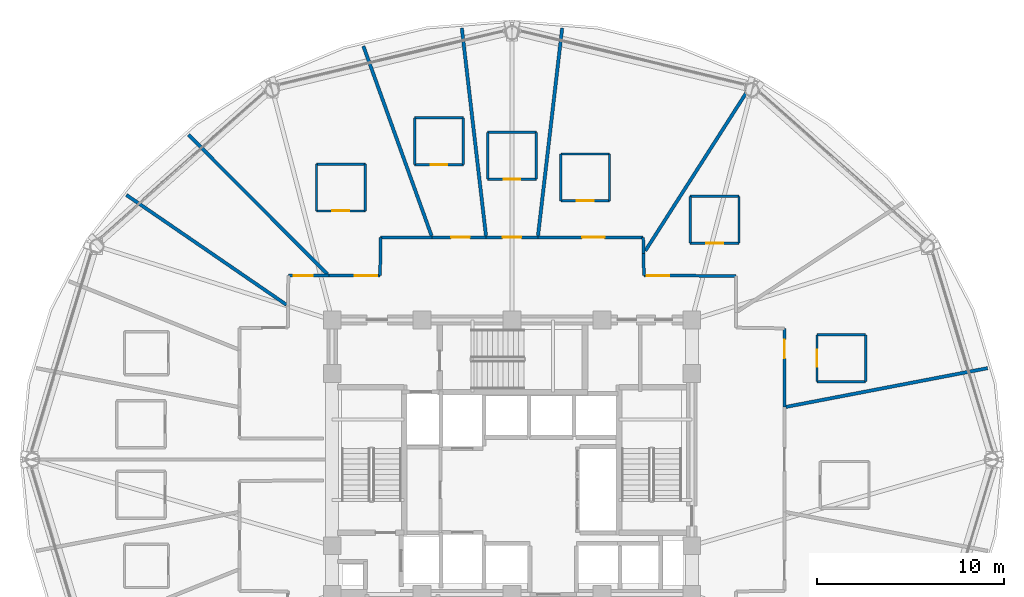
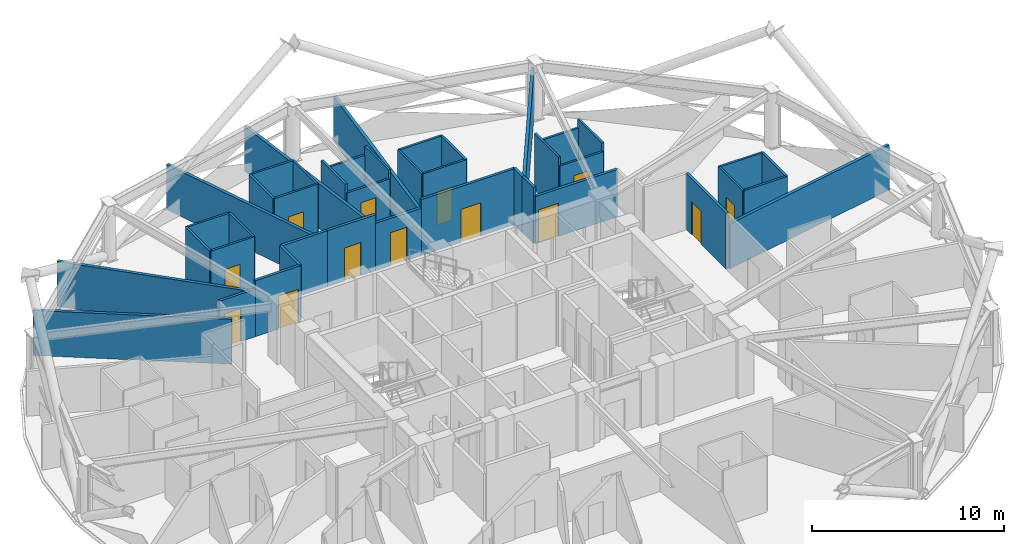
# One storey, part 27 of 32: 42 walls, 13 doors, 13 openings.
"""IFC4 building model written with IfcOpenShell, lengths in metres."""

from ifc_helpers import new_model, si_unit, direction, frame, frame_2d, origin, place, context, subcontext, project, spatial, rectangle, extrude, material, layer, layer_set, type_object, element, fill, save


model = new_model("IFC4")

# Units and contexts
model_context = context("Model", 3, precision=1e-05, world=origin(), true_north=direction((0.0, 1.0)))
body_context = subcontext(model_context, "Body", "Model", "MODEL_VIEW")
ifc_project = project(units=[si_unit("LENGTHUNIT", "METRE"), si_unit("AREAUNIT", "SQUARE_METRE"), si_unit("VOLUMEUNIT", "CUBIC_METRE"), si_unit("PLANEANGLEUNIT", "RADIAN"), si_unit("MASSUNIT", "GRAM", prefix="KILO")], contexts=[model_context])

# Site, building, storey
site_placement = place(None, origin())
site = spatial("IfcSite", under=ifc_project, at=site_placement, CompositionType="ELEMENT")
building_placement = place(site_placement, origin())
building = spatial("IfcBuilding", under=site, at=building_placement, Name="Vantalir Tower", CompositionType="ELEMENT")
storey_placement = place(building_placement, frame((0.0, 0.0, 104.699951171875)))
storey = spatial("IfcBuildingStorey", under=building, at=storey_placement, Name="L25", CompositionType="ELEMENT", Elevation=104.699951171875)

# Walls
ifc_material_1 = material(Name="Moisture-resistant en-suite partition", Category="gypsum")
ifc_layer_1 = layer(ifc_material_1, 0.125)
ifc_layer_set_1 = layer_set([ifc_layer_1], Name="Moisture-resistant en-suite partition")
wall_type_1 = type_object("IfcWallType", Name="WL-BATH-125", PredefinedType="PARTITIONING", material=ifc_layer_set_1)
for number, where, z_axis, x_axis, name in (
    (1, (47.781982421875, 29.160888671875, 0.0), (0.0, 0.0, 1.0), (1.0, 0.0, 0.0), "L25 En-suite 01 South Wall"),
    (2, (47.781982421875, 31.660888671875, 0.0), (0.0, 0.0, 1.0), (1.0, 0.0, 0.0), "L25 En-suite 01 North Wall"),
):
    element("IfcWall", number, at=place(storey_placement, frame(where, z_axis=z_axis, x_axis=x_axis)), inside=storey, type_object=wall_type_1, Name=name, PredefinedType="PARTITIONING", context=body_context, shape_type="SweptSolid", body=[
        extrude(rectangle(XDim=2.60009765625, YDim=0.125, at=frame_2d((1.300048828125, 0.0))), origin(), (0.0, 0.0, 1.0), 3.550048828125),
    ])

# Wall, opening, door
wall_1_placement = place(storey_placement, frame((47.781982421875, 29.160888671875, 0.0), z_axis=(0.0, 0.0, 1.0), x_axis=(0.0, 1.0, 0.0)))
wall_1 = element("IfcWall", 3, at=wall_1_placement, inside=storey, type_object=wall_type_1, Name="L25 En-suite 01 West Wall", PredefinedType="PARTITIONING", context=body_context, shape_type="SweptSolid", body=[
    extrude(rectangle(XDim=2.5, YDim=0.125, at=frame_2d((1.25, 0.0))), origin(), (0.0, 0.0, 1.0), 3.550048828125),
])
opening_1_placement = place(wall_1_placement, frame((0.800048828125, 0.0, 0.0)))
opening_1 = element("IfcOpeningElement", 4, at=opening_1_placement, cuts=wall_1, Name="Opening D-WC", PredefinedType="OPENING", context=body_context, shape_type="SweptSolid", body=[
    extrude(rectangle(XDim=0.89990234375, YDim=2.10009765625, at=frame_2d((0.449951171875, 1.050048828125))), frame((0.0, 0.072509765625, 0.0), z_axis=(0.0, -1.0, 0.0), x_axis=(1.0, 0.0, 0.0)), (0.0, 0.0, 1.0), 0.14501953125),
])
ifc_material_2 = material(Name="Moisture-resistant hardwood door", Category="wood")
door_type_1 = type_object("IfcDoorType", Name="DR-ENSUITE-900", OperationType="NOTDEFINED", PredefinedType="DOOR", material=ifc_material_2)
door_1_placement = place(opening_1_placement, frame((0.89990234375, 0.0, 0.0), z_axis=(0.0, 0.0, 1.0), x_axis=(-1.0, 0.0, 0.0)))
door_1 = element("IfcDoor", 5, at=door_1_placement, inside=storey, type_object=door_type_1, Name="L25 En-suite 01 Door", OperationType="SINGLE_SWING_LEFT", OverallHeight=2.10009765625, OverallWidth=0.89990234375, PredefinedType="DOOR", context=body_context, shape_type="SweptSolid", body=[
    extrude(rectangle(XDim=0.89990234375, YDim=2.10009765625, at=frame_2d((0.449951171875, 1.050048828125))), frame((0.0, 0.02490234375, 0.0), z_axis=(0.0, -1.0, 0.0), x_axis=(1.0, 0.0, 0.0)), (0.0, 0.0, 1.0), 0.050048828125),
])
fill(opening_1, door_1)

# Wall
wall_2_placement = place(storey_placement, frame((50.382080078125, 29.160888671875, 0.0), z_axis=(0.0, 0.0, 1.0), x_axis=(0.0, 1.0, 0.0)))
element("IfcWall", 6, at=wall_2_placement, inside=storey, type_object=wall_type_1, Name="L25 En-suite 01 East Wall", PredefinedType="PARTITIONING", context=body_context, shape_type="SweptSolid", body=[
    extrude(rectangle(XDim=2.5, YDim=0.125, at=frame_2d((1.25, 0.0))), origin(), (0.0, 0.0, 1.0), 3.550048828125),
])

# Wall, opening, door
wall_3_placement = place(storey_placement, frame((41.013916015625, 36.550048828125, 0.0), z_axis=(0.0, 0.0, 1.0), x_axis=(1.0, 0.0, 0.0)))
wall_3 = element("IfcWall", 7, at=wall_3_placement, inside=storey, type_object=wall_type_1, Name="L25 En-suite 02 South Wall", PredefinedType="PARTITIONING", context=body_context, shape_type="SweptSolid", body=[
    extrude(rectangle(XDim=2.60009765625, YDim=0.125, at=frame_2d((1.300048828125, 0.0))), origin(), (0.0, 0.0, 1.0), 3.006103515625),
])
opening_2_placement = place(wall_3_placement, frame((0.85009765625, 0.0, 0.0)))
opening_2 = element("IfcOpeningElement", 8, at=opening_2_placement, cuts=wall_3, Name="Opening D-WC", PredefinedType="OPENING", context=body_context, shape_type="SweptSolid", body=[
    extrude(rectangle(XDim=0.89990234375, YDim=2.10009765625, at=frame_2d((0.449951171875, 1.050048828125))), frame((0.0, 0.072509765625, 0.0), z_axis=(0.0, -1.0, 0.0), x_axis=(1.0, 0.0, 0.0)), (0.0, 0.0, 1.0), 0.14501953125),
])
door_2_placement = place(opening_2_placement, origin())
door_2 = element("IfcDoor", 9, at=door_2_placement, inside=storey, type_object=door_type_1, Name="L25 En-suite 02 Door", OperationType="SINGLE_SWING_RIGHT", OverallHeight=2.10009765625, OverallWidth=0.89990234375, PredefinedType="DOOR", context=body_context, shape_type="SweptSolid", body=[
    extrude(rectangle(XDim=0.89990234375, YDim=2.10009765625, at=frame_2d((0.449951171875, 1.050048828125))), frame((0.0, 0.02490234375, 0.0), z_axis=(0.0, -1.0, 0.0), x_axis=(1.0, 0.0, 0.0)), (0.0, 0.0, 1.0), 0.050048828125),
])
fill(opening_2, door_2)

# Walls
wall_4_placement = place(storey_placement, frame((41.013916015625, 39.050048828125, 0.0), z_axis=(0.0, 0.0, 1.0), x_axis=(1.0, 0.0, 0.0)))
element("IfcWall", 10, at=wall_4_placement, inside=storey, type_object=wall_type_1, Name="L25 En-suite 02 North Wall", PredefinedType="PARTITIONING", context=body_context, shape_type="SweptSolid", body=[
    extrude(rectangle(XDim=2.60009765625, YDim=0.125, at=frame_2d((1.300048828125, 0.0))), origin(), (0.0, 0.0, 1.0), 3.006103515625),
])
for number, where, z_axis, x_axis, name in (
    (11, (41.013916015625, 36.550048828125, 0.0), (0.0, 0.0, 1.0), (0.0, 1.0, 0.0), "L25 En-suite 02 West Wall"),
    (12, (43.614013671875, 36.550048828125, 0.0), (0.0, 0.0, 1.0), (0.0, 1.0, 0.0), "L25 En-suite 02 East Wall"),
):
    element("IfcWall", number, at=place(storey_placement, frame(where, z_axis=z_axis, x_axis=x_axis)), inside=storey, type_object=wall_type_1, Name=name, PredefinedType="PARTITIONING", context=body_context, shape_type="SweptSolid", body=[
        extrude(rectangle(XDim=2.5, YDim=0.125, at=frame_2d((1.25, 0.0))), origin(), (0.0, 0.0, 1.0), 3.550048828125),
    ])

# Wall, opening, door
wall_5_placement = place(storey_placement, frame((34.10595703125, 38.81103515625, 0.0), z_axis=(0.0, 0.0, 1.0), x_axis=(1.0, 0.0, 0.0)))
wall_5 = element("IfcWall", 13, at=wall_5_placement, inside=storey, type_object=wall_type_1, Name="L25 En-suite 03 South Wall", PredefinedType="PARTITIONING", context=body_context, shape_type="SweptSolid", body=[
    extrude(rectangle(XDim=2.60009765625, YDim=0.125, at=frame_2d((1.300048828125, 0.0))), origin(), (0.0, 0.0, 1.0), 3.550048828125),
])
opening_3_placement = place(wall_5_placement, frame((0.85009765625, 0.0, 0.0)))
opening_3 = element("IfcOpeningElement", 14, at=opening_3_placement, cuts=wall_5, Name="Opening D-WC", PredefinedType="OPENING", context=body_context, shape_type="SweptSolid", body=[
    extrude(rectangle(XDim=0.89990234375, YDim=2.10009765625, at=frame_2d((0.449951171875, 1.050048828125))), frame((0.0, 0.072509765625, 0.0), z_axis=(0.0, -1.0, 0.0), x_axis=(1.0, 0.0, 0.0)), (0.0, 0.0, 1.0), 0.14501953125),
])
door_3_placement = place(opening_3_placement, origin())
door_3 = element("IfcDoor", 15, at=door_3_placement, inside=storey, type_object=door_type_1, Name="L25 En-suite 03 Door", OperationType="SINGLE_SWING_LEFT", OverallHeight=2.10009765625, OverallWidth=0.89990234375, PredefinedType="DOOR", context=body_context, shape_type="SweptSolid", body=[
    extrude(rectangle(XDim=0.89990234375, YDim=2.10009765625, at=frame_2d((0.449951171875, 1.050048828125))), frame((0.0, 0.02490234375, 0.0), z_axis=(0.0, -1.0, 0.0), x_axis=(1.0, 0.0, 0.0)), (0.0, 0.0, 1.0), 0.050048828125),
])
fill(opening_3, door_3)

# Walls
wall_6_placement = place(storey_placement, frame((34.10595703125, 41.31103515625, 0.0), z_axis=(0.0, 0.0, 1.0), x_axis=(1.0, 0.0, 0.0)))
element("IfcWall", 16, at=wall_6_placement, inside=storey, type_object=wall_type_1, Name="L25 En-suite 03 North Wall", PredefinedType="PARTITIONING", context=body_context, shape_type="SweptSolid", body=[
    extrude(rectangle(XDim=2.60009765625, YDim=0.125, at=frame_2d((1.300048828125, 0.0))), origin(), (0.0, 0.0, 1.0), 3.550048828125),
])
for number, where, z_axis, x_axis, name in (
    (17, (34.10595703125, 38.81103515625, 0.0), (0.0, 0.0, 1.0), (0.0, 1.0, 0.0), "L25 En-suite 03 West Wall"),
    (18, (36.7060546875, 38.81103515625, 0.0), (0.0, 0.0, 1.0), (0.0, 1.0, 0.0), "L25 En-suite 03 East Wall"),
):
    element("IfcWall", number, at=place(storey_placement, frame(where, z_axis=z_axis, x_axis=x_axis)), inside=storey, type_object=wall_type_1, Name=name, PredefinedType="PARTITIONING", context=body_context, shape_type="SweptSolid", body=[
        extrude(rectangle(XDim=2.5, YDim=0.125, at=frame_2d((1.25, 0.0))), origin(), (0.0, 0.0, 1.0), 3.550048828125),
    ])

# Wall, opening, door
wall_7_placement = place(storey_placement, frame((30.199951171875, 39.970947265625, 0.0), z_axis=(0.0, 0.0, 1.0), x_axis=(1.0, 0.0, 0.0)))
wall_7 = element("IfcWall", 19, at=wall_7_placement, inside=storey, type_object=wall_type_1, Name="L25 En-suite 04 South Wall", PredefinedType="PARTITIONING", context=body_context, shape_type="SweptSolid", body=[
    extrude(rectangle(XDim=2.60009765625, YDim=0.125, at=frame_2d((1.300048828125, 0.0))), origin(), (0.0, 0.0, 1.0), 3.006103515625),
])
opening_4_placement = place(wall_7_placement, frame((0.85009765625, 0.0, 0.0)))
opening_4 = element("IfcOpeningElement", 20, at=opening_4_placement, cuts=wall_7, Name="Opening D-WC", PredefinedType="OPENING", context=body_context, shape_type="SweptSolid", body=[
    extrude(rectangle(XDim=0.89990234375, YDim=2.10009765625, at=frame_2d((0.449951171875, 1.050048828125))), frame((0.0, 0.072509765625, 0.0), z_axis=(0.0, -1.0, 0.0), x_axis=(1.0, 0.0, 0.0)), (0.0, 0.0, 1.0), 0.14501953125),
])
door_4_placement = place(opening_4_placement, origin())
door_4 = element("IfcDoor", 21, at=door_4_placement, inside=storey, type_object=door_type_1, Name="L25 En-suite 04 Door", OperationType="SINGLE_SWING_RIGHT", OverallHeight=2.10009765625, OverallWidth=0.89990234375, PredefinedType="DOOR", context=body_context, shape_type="SweptSolid", body=[
    extrude(rectangle(XDim=0.89990234375, YDim=2.10009765625, at=frame_2d((0.449951171875, 1.050048828125))), frame((0.0, 0.02490234375, 0.0), z_axis=(0.0, -1.0, 0.0), x_axis=(1.0, 0.0, 0.0)), (0.0, 0.0, 1.0), 0.050048828125),
])
fill(opening_4, door_4)

# Walls
wall_8_placement = place(storey_placement, frame((30.199951171875, 42.470947265625, 0.0), z_axis=(0.0, 0.0, 1.0), x_axis=(1.0, 0.0, 0.0)))
element("IfcWall", 22, at=wall_8_placement, inside=storey, type_object=wall_type_1, Name="L25 En-suite 04 North Wall", PredefinedType="PARTITIONING", context=body_context, shape_type="SweptSolid", body=[
    extrude(rectangle(XDim=2.60009765625, YDim=0.125, at=frame_2d((1.300048828125, 0.0))), origin(), (0.0, 0.0, 1.0), 3.006103515625),
])
for number, where, z_axis, x_axis, name in (
    (23, (30.199951171875, 39.970947265625, 0.0), (0.0, 0.0, 1.0), (0.0, 1.0, 0.0), "L25 En-suite 04 West Wall"),
    (24, (32.800048828125, 39.970947265625, 0.0), (0.0, 0.0, 1.0), (0.0, 1.0, 0.0), "L25 En-suite 04 East Wall"),
):
    element("IfcWall", number, at=place(storey_placement, frame(where, z_axis=z_axis, x_axis=x_axis)), inside=storey, type_object=wall_type_1, Name=name, PredefinedType="PARTITIONING", context=body_context, shape_type="SweptSolid", body=[
        extrude(rectangle(XDim=2.5, YDim=0.125, at=frame_2d((1.25, 0.0))), origin(), (0.0, 0.0, 1.0), 3.550048828125),
    ])

# Wall, opening, door
wall_9_placement = place(storey_placement, frame((26.305908203125, 40.737060546875, 0.0), z_axis=(0.0, 0.0, 1.0), x_axis=(1.0, 0.0, 0.0)))
wall_9 = element("IfcWall", 25, at=wall_9_placement, inside=storey, type_object=wall_type_1, Name="L25 En-suite 05 South Wall", PredefinedType="PARTITIONING", context=body_context, shape_type="SweptSolid", body=[
    extrude(rectangle(XDim=2.60009765625, YDim=0.125, at=frame_2d((1.300048828125, 0.0))), origin(), (0.0, 0.0, 1.0), 3.550048828125),
])
opening_5_placement = place(wall_9_placement, frame((0.85009765625, 0.0, 0.0)))
opening_5 = element("IfcOpeningElement", 26, at=opening_5_placement, cuts=wall_9, Name="Opening D-WC", PredefinedType="OPENING", context=body_context, shape_type="SweptSolid", body=[
    extrude(rectangle(XDim=0.89990234375, YDim=2.10009765625, at=frame_2d((0.449951171875, 1.050048828125))), frame((0.0, 0.072509765625, 0.0), z_axis=(0.0, -1.0, 0.0), x_axis=(1.0, 0.0, 0.0)), (0.0, 0.0, 1.0), 0.14501953125),
])
door_5_placement = place(opening_5_placement, origin())
door_5 = element("IfcDoor", 27, at=door_5_placement, inside=storey, type_object=door_type_1, Name="L25 En-suite 05 Door", OperationType="SINGLE_SWING_LEFT", OverallHeight=2.10009765625, OverallWidth=0.89990234375, PredefinedType="DOOR", context=body_context, shape_type="SweptSolid", body=[
    extrude(rectangle(XDim=0.89990234375, YDim=2.10009765625, at=frame_2d((0.449951171875, 1.050048828125))), frame((0.0, 0.02490234375, 0.0), z_axis=(0.0, -1.0, 0.0), x_axis=(1.0, 0.0, 0.0)), (0.0, 0.0, 1.0), 0.050048828125),
])
fill(opening_5, door_5)

# Walls
wall_10_placement = place(storey_placement, frame((26.305908203125, 43.237060546875, 0.0), z_axis=(0.0, 0.0, 1.0), x_axis=(1.0, 0.0, 0.0)))
element("IfcWall", 28, at=wall_10_placement, inside=storey, type_object=wall_type_1, Name="L25 En-suite 05 North Wall", PredefinedType="PARTITIONING", context=body_context, shape_type="SweptSolid", body=[
    extrude(rectangle(XDim=2.60009765625, YDim=0.125, at=frame_2d((1.300048828125, 0.0))), origin(), (0.0, 0.0, 1.0), 3.550048828125),
])
for number, where, z_axis, x_axis, name in (
    (29, (26.305908203125, 40.737060546875, 0.0), (0.0, 0.0, 1.0), (0.0, 1.0, 0.0), "L25 En-suite 05 West Wall"),
    (30, (28.906005859375, 40.737060546875, 0.0), (0.0, 0.0, 1.0), (0.0, 1.0, 0.0), "L25 En-suite 05 East Wall"),
):
    element("IfcWall", number, at=place(storey_placement, frame(where, z_axis=z_axis, x_axis=x_axis)), inside=storey, type_object=wall_type_1, Name=name, PredefinedType="PARTITIONING", context=body_context, shape_type="SweptSolid", body=[
        extrude(rectangle(XDim=2.5, YDim=0.125, at=frame_2d((1.25, 0.0))), origin(), (0.0, 0.0, 1.0), 3.550048828125),
    ])

# Wall, opening, door
wall_11_placement = place(storey_placement, frame((21.06689453125, 38.27001953125, 0.0), z_axis=(0.0, 0.0, 1.0), x_axis=(1.0, 0.0, 0.0)))
wall_11 = element("IfcWall", 31, at=wall_11_placement, inside=storey, type_object=wall_type_1, Name="L25 En-suite 06 South Wall", PredefinedType="PARTITIONING", context=body_context, shape_type="SweptSolid", body=[
    extrude(rectangle(XDim=2.60009765625, YDim=0.125, at=frame_2d((1.300048828125, 0.0))), origin(), (0.0, 0.0, 1.0), 3.550048828125),
])
opening_6_placement = place(wall_11_placement, frame((0.85009765625, 0.0, 0.0)))
opening_6 = element("IfcOpeningElement", 32, at=opening_6_placement, cuts=wall_11, Name="Opening D-WC", PredefinedType="OPENING", context=body_context, shape_type="SweptSolid", body=[
    extrude(rectangle(XDim=0.89990234375, YDim=2.10009765625, at=frame_2d((0.449951171875, 1.050048828125))), frame((0.0, 0.072509765625, 0.0), z_axis=(0.0, -1.0, 0.0), x_axis=(1.0, 0.0, 0.0)), (0.0, 0.0, 1.0), 0.14501953125),
])
door_6_placement = place(opening_6_placement, origin())
door_6 = element("IfcDoor", 33, at=door_6_placement, inside=storey, type_object=door_type_1, Name="L25 En-suite 06 Door", OperationType="SINGLE_SWING_RIGHT", OverallHeight=2.10009765625, OverallWidth=0.89990234375, PredefinedType="DOOR", context=body_context, shape_type="SweptSolid", body=[
    extrude(rectangle(XDim=0.89990234375, YDim=2.10009765625, at=frame_2d((0.449951171875, 1.050048828125))), frame((0.0, 0.02490234375, 0.0), z_axis=(0.0, -1.0, 0.0), x_axis=(1.0, 0.0, 0.0)), (0.0, 0.0, 1.0), 0.050048828125),
])
fill(opening_6, door_6)

# Walls
wall_12_placement = place(storey_placement, frame((21.06689453125, 40.77001953125, 0.0), z_axis=(0.0, 0.0, 1.0), x_axis=(1.0, 0.0, 0.0)))
element("IfcWall", 34, at=wall_12_placement, inside=storey, type_object=wall_type_1, Name="L25 En-suite 06 North Wall", PredefinedType="PARTITIONING", context=body_context, shape_type="SweptSolid", body=[
    extrude(rectangle(XDim=2.60009765625, YDim=0.125, at=frame_2d((1.300048828125, 0.0))), origin(), (0.0, 0.0, 1.0), 3.550048828125),
])
for number, where, z_axis, x_axis, name in (
    (35, (21.06689453125, 38.27001953125, 0.0), (0.0, 0.0, 1.0), (0.0, 1.0, 0.0), "L25 En-suite 06 West Wall"),
    (36, (23.6669921875, 38.27001953125, 0.0), (0.0, 0.0, 1.0), (0.0, 1.0, 0.0), "L25 En-suite 06 East Wall"),
):
    element("IfcWall", number, at=place(storey_placement, frame(where, z_axis=z_axis, x_axis=x_axis)), inside=storey, type_object=wall_type_1, Name=name, PredefinedType="PARTITIONING", context=body_context, shape_type="SweptSolid", body=[
        extrude(rectangle(XDim=2.5, YDim=0.125, at=frame_2d((1.25, 0.0))), origin(), (0.0, 0.0, 1.0), 3.550048828125),
    ])

# Wall, opening, door
ifc_material_3 = material(Name="Fire-rated hotel corridor acoustic partition", Category="gypsum")
ifc_layer_2 = layer(ifc_material_3, 0.159912109375)
ifc_layer_set_2 = layer_set([ifc_layer_2], Name="Fire-rated hotel corridor acoustic partition")
wall_type_2 = type_object("IfcWallType", Name="WL-CORR-160", PredefinedType="PARTITIONING", material=ifc_layer_set_2)
wall_13_placement = place(storey_placement, frame((19.56005859375, 34.81201171875, 0.0), z_axis=(0.0, 0.0, 1.0), x_axis=(0.999999898272, 0.000451059945, 0.0)))
wall_13 = element("IfcWall", 37, at=wall_13_placement, inside=storey, type_object=wall_type_2, Name="L25 Corridor Partition 08", PredefinedType="PARTITIONING", context=body_context, shape_type="SweptSolid", body=[
    extrude(rectangle(XDim=2.1650390625, YDim=0.159912109375, at=frame_2d((1.08251953125, 0.0))), origin(), (0.0, 0.0, 1.0), 3.006103515625),
])
opening_7_placement = place(wall_13_placement, frame((0.301025390625, 0.0, 0.0)))
opening_7 = element("IfcOpeningElement", 38, at=opening_7_placement, cuts=wall_13, Name="Opening D-GUEST", PredefinedType="OPENING", context=body_context, shape_type="SweptSolid", body=[
    extrude(rectangle(XDim=1.0, YDim=2.10009765625, at=frame_2d((0.5, 1.050048828125))), frame((0.0, 0.08984375, 0.0), z_axis=(0.0, -1.0, 0.0), x_axis=(1.0, 0.0, 0.0)), (0.0, 0.0, 1.0), 0.179931640625),
])
ifc_material_4 = material(Name="Solid-core teak veneer acoustic fire door", Category="wood")
door_type_2 = type_object("IfcDoorType", Name="DR-GUEST-ENTRY-1000", OperationType="NOTDEFINED", PredefinedType="DOOR", material=ifc_material_4)
door_7_placement = place(opening_7_placement, origin())
door_7 = element("IfcDoor", 39, at=door_7_placement, inside=storey, type_object=door_type_2, Name="L25 Executive Business Study 07 Door", OperationType="SINGLE_SWING_LEFT", OverallHeight=2.10009765625, OverallWidth=1.0, PredefinedType="DOOR", context=body_context, shape_type="SweptSolid", body=[
    extrude(rectangle(XDim=1.0, YDim=2.10009765625, at=frame_2d((0.5, 1.050048828125))), frame((0.0, 0.02490234375, 0.0), z_axis=(0.0, -1.0, 0.0), x_axis=(1.0, 0.0, 0.0)), (0.0, 0.0, 1.0), 0.050048828125),
])
fill(opening_7, door_7)

wall_14_placement = place(storey_placement, frame((21.72509765625, 34.81298828125, 0.0), z_axis=(0.0, 0.0, 1.0), x_axis=(0.999999744989, 0.000714158004, 0.0)))
wall_14 = element("IfcWall", 40, at=wall_14_placement, inside=storey, type_object=wall_type_2, Name="L25 Corridor Partition 09", PredefinedType="PARTITIONING", context=body_context, shape_type="SweptSolid", body=[
    extrude(rectangle(XDim=2.73486328125, YDim=0.159912109375, at=frame_2d((1.367431640625, 0.0))), origin(), (0.0, 0.0, 1.0), 3.550048828125),
])
opening_8_placement = place(wall_14_placement, frame((1.375, 0.0, 0.0)))
opening_8 = element("IfcOpeningElement", 41, at=opening_8_placement, cuts=wall_14, Name="Opening D-STE", PredefinedType="OPENING", context=body_context, shape_type="SweptSolid", body=[
    extrude(rectangle(XDim=1.199951171875, YDim=2.10009765625, at=frame_2d((0.60009765625, 1.050048828125))), frame((0.0, 0.08984375, 0.0), z_axis=(0.0, -1.0, 0.0), x_axis=(1.0, 0.0, 0.0)), (0.0, 0.0, 1.0), 0.179931640625),
])
ifc_material_5 = material(Name="Solid-core teak veneer suite entrance door", Category="wood")
door_type_3 = type_object("IfcDoorType", Name="DR-SUITE-ENTRY-1200", OperationType="NOTDEFINED", PredefinedType="DOOR", material=ifc_material_5)
door_8_placement = place(opening_8_placement, origin())
door_8 = element("IfcDoor", 42, at=door_8_placement, inside=storey, type_object=door_type_3, Name="L25 Corner Panorama Hotel Suite 06 Door", OperationType="SINGLE_SWING_RIGHT", OverallHeight=2.10009765625, OverallWidth=1.199951171875, PredefinedType="DOOR", context=body_context, shape_type="SweptSolid", body=[
    extrude(rectangle(XDim=1.199951171875, YDim=2.10009765625, at=frame_2d((0.60009765625, 1.050048828125))), frame((0.0, 0.02490234375, 0.0), z_axis=(0.0, -1.0, 0.0), x_axis=(1.0, 0.0, 0.0)), (0.0, 0.0, 1.0), 0.050048828125),
])
fill(opening_8, door_8)

# Walls
wall_15_placement = place(storey_placement, frame((24.4599609375, 34.81494140625, 0.0), z_axis=(0.0, 0.0, 1.0), x_axis=(0.012282913525, 0.999924562172, 0.0)))
element("IfcWall", 43, at=wall_15_placement, inside=storey, type_object=wall_type_2, Name="L25 Corridor Partition 10", PredefinedType="PARTITIONING", context=body_context, shape_type="SweptSolid", body=[
    extrude(rectangle(XDim=2.04736328125, YDim=0.159912109375, at=frame_2d((1.023681640625, 0.0))), origin(), (0.0, 0.0, 1.0), 3.550048828125),
])
wall_16_placement = place(storey_placement, frame((24.485107421875, 36.862060546875, 0.0), z_axis=(0.0, 0.0, 1.0), x_axis=(0.999999936992, 0.000354987553, 0.0)))
element("IfcWall", 44, at=wall_16_placement, inside=storey, type_object=wall_type_2, Name="L25 Corridor Partition 11", PredefinedType="PARTITIONING", context=body_context, shape_type="SweptSolid", body=[
    extrude(rectangle(XDim=2.7509765625, YDim=0.159912109375, at=frame_2d((1.37548828125, 0.0))), origin(), (0.0, 0.0, 1.0), 3.550048828125),
])

# Wall, opening, door
wall_17_placement = place(storey_placement, frame((27.236083984375, 36.863037109375, 0.0), z_axis=(0.0, 0.0, 1.0), x_axis=(1.0, 0.0, 0.0)))
wall_17 = element("IfcWall", 45, at=wall_17_placement, inside=storey, type_object=wall_type_2, Name="L25 Corridor Partition 12", PredefinedType="PARTITIONING", context=body_context, shape_type="SweptSolid", body=[
    extrude(rectangle(XDim=2.884033203125, YDim=0.159912109375, at=frame_2d((1.44189453125, 0.0))), origin(), (0.0, 0.0, 1.0), 3.550048828125),
])
opening_9_placement = place(wall_17_placement, frame((1.012939453125, 0.0, 0.0)))
opening_9 = element("IfcOpeningElement", 46, at=opening_9_placement, cuts=wall_17, Name="Opening D-GUEST", PredefinedType="OPENING", context=body_context, shape_type="SweptSolid", body=[
    extrude(rectangle(XDim=1.0, YDim=2.10009765625, at=frame_2d((0.5, 1.050048828125))), frame((0.0, 0.08984375, 0.0), z_axis=(0.0, -1.0, 0.0), x_axis=(1.0, 0.0, 0.0)), (0.0, 0.0, 1.0), 0.179931640625),
])
door_9_placement = place(opening_9_placement, origin())
door_9 = element("IfcDoor", 47, at=door_9_placement, inside=storey, type_object=door_type_2, Name="L25 Twin Queen Hotel Room 05 Door", OperationType="SINGLE_SWING_LEFT", OverallHeight=2.10009765625, OverallWidth=1.0, PredefinedType="DOOR", context=body_context, shape_type="SweptSolid", body=[
    extrude(rectangle(XDim=1.0, YDim=2.10009765625, at=frame_2d((0.5, 1.050048828125))), frame((0.0, 0.02490234375, 0.0), z_axis=(0.0, -1.0, 0.0), x_axis=(1.0, 0.0, 0.0)), (0.0, 0.0, 1.0), 0.050048828125),
])
fill(opening_9, door_9)

wall_18_placement = place(storey_placement, frame((30.1201171875, 36.863037109375, 0.0), z_axis=(0.0, 0.0, 1.0), x_axis=(0.999999937393, 0.00035385702, 0.0)))
wall_18 = element("IfcWall", 48, at=wall_18_placement, inside=storey, type_object=wall_type_2, Name="L25 Corridor Partition 13", PredefinedType="PARTITIONING", context=body_context, shape_type="SweptSolid", body=[
    extrude(rectangle(XDim=2.759765625, YDim=0.159912109375, at=frame_2d((1.3798828125, 0.0))), origin(), (0.0, 0.0, 1.0), 3.006103515625),
])
opening_10_placement = place(wall_18_placement, frame((0.8798828125, 0.0, 0.0)))
opening_10 = element("IfcOpeningElement", 49, at=opening_10_placement, cuts=wall_18, Name="Opening D-GUEST", PredefinedType="OPENING", context=body_context, shape_type="SweptSolid", body=[
    extrude(rectangle(XDim=1.0, YDim=2.10009765625, at=frame_2d((0.5, 1.050048828125))), frame((0.0, 0.08984375, 0.0), z_axis=(0.0, -1.0, 0.0), x_axis=(1.0, 0.0, 0.0)), (0.0, 0.0, 1.0), 0.179931640625),
])
door_10_placement = place(opening_10_placement, origin())
door_10 = element("IfcDoor", 50, at=door_10_placement, inside=storey, type_object=door_type_2, Name="L25 Deluxe King Hotel Room 04 Door", OperationType="SINGLE_SWING_RIGHT", OverallHeight=2.10009765625, OverallWidth=1.0, PredefinedType="DOOR", context=body_context, shape_type="SweptSolid", body=[
    extrude(rectangle(XDim=1.0, YDim=2.10009765625, at=frame_2d((0.5, 1.050048828125))), frame((0.0, 0.02490234375, 0.0), z_axis=(0.0, -1.0, 0.0), x_axis=(1.0, 0.0, 0.0)), (0.0, 0.0, 1.0), 0.050048828125),
])
fill(opening_10, door_10)

wall_19_placement = place(storey_placement, frame((32.8798828125, 36.864013671875, 0.0), z_axis=(0.0, 0.0, 1.0), x_axis=(0.999999984924, 0.000173641255, 0.0)))
wall_19 = element("IfcWall", 51, at=wall_19_placement, inside=storey, type_object=wall_type_2, Name="L25 Corridor Partition 14", PredefinedType="PARTITIONING", context=body_context, shape_type="SweptSolid", body=[
    extrude(rectangle(XDim=5.6240234375, YDim=0.159912109375, at=frame_2d((2.81201171875, 0.0))), origin(), (0.0, 0.0, 1.0), 3.550048828125),
])
opening_11_placement = place(wall_19_placement, frame((2.35888671875, 0.0, 0.0)))
opening_11 = element("IfcOpeningElement", 52, at=opening_11_placement, cuts=wall_19, Name="Opening D-STE", PredefinedType="OPENING", context=body_context, shape_type="SweptSolid", body=[
    extrude(rectangle(XDim=1.199951171875, YDim=2.10009765625, at=frame_2d((0.60009765625, 1.050048828125))), frame((0.0, 0.08984375, 0.0), z_axis=(0.0, -1.0, 0.0), x_axis=(1.0, 0.0, 0.0)), (0.0, 0.0, 1.0), 0.179931640625),
])
door_11_placement = place(opening_11_placement, origin())
door_11 = element("IfcDoor", 53, at=door_11_placement, inside=storey, type_object=door_type_3, Name="L25 Corner Panorama Hotel Suite 03 Door", OperationType="SINGLE_SWING_LEFT", OverallHeight=2.10009765625, OverallWidth=1.199951171875, PredefinedType="DOOR", context=body_context, shape_type="SweptSolid", body=[
    extrude(rectangle(XDim=1.199951171875, YDim=2.10009765625, at=frame_2d((0.60009765625, 1.050048828125))), frame((0.0, 0.02490234375, 0.0), z_axis=(0.0, -1.0, 0.0), x_axis=(1.0, 0.0, 0.0)), (0.0, 0.0, 1.0), 0.050048828125),
])
fill(opening_11, door_11)

# Walls
wall_20_placement = place(storey_placement, frame((38.50390625, 36.864990234375, 0.0), z_axis=(0.0, 0.0, 1.0), x_axis=(0.017277242395, -0.999850737308, 0.0)))
element("IfcWall", 54, at=wall_20_placement, inside=storey, type_object=wall_type_2, Name="L25 Corridor Partition 15", PredefinedType="PARTITIONING", context=body_context, shape_type="SweptSolid", body=[
    extrude(rectangle(XDim=0.876220703125, YDim=0.159912109375, at=frame_2d((0.43798828125, 0.0))), origin(), (0.0, 0.0, 1.0), 3.550048828125),
])
wall_21_placement = place(storey_placement, frame((38.51904296875, 35.989013671875, 0.0), z_axis=(0.0, 0.0, 1.0), x_axis=(0.017880276901, -0.999840135071, 0.0)))
element("IfcWall", 55, at=wall_21_placement, inside=storey, type_object=wall_type_2, Name="L25 Corridor Partition 16", PredefinedType="PARTITIONING", context=body_context, shape_type="SweptSolid", body=[
    extrude(rectangle(XDim=1.17431640625, YDim=0.159912109375, at=frame_2d((0.587158203125, 0.0))), origin(), (0.0, 0.0, 1.0), 3.550048828125),
])

# Wall, opening, door
wall_22_placement = place(storey_placement, frame((38.5400390625, 34.81494140625, 0.0), z_axis=(0.0, 0.0, 1.0), x_axis=(0.999999029632, -0.001393102783, 0.0)))
wall_22 = element("IfcWall", 56, at=wall_22_placement, inside=storey, type_object=wall_type_2, Name="L25 Corridor Partition 17", PredefinedType="PARTITIONING", context=body_context, shape_type="SweptSolid", body=[
    extrude(rectangle(XDim=4.906982421875, YDim=0.159912109375, at=frame_2d((2.45361328125, 0.0))), origin(), (0.0, 0.0, 1.0), 3.006103515625),
])
opening_12_placement = place(wall_22_placement, frame((0.159912109375, 0.0, 0.0)))
opening_12 = element("IfcOpeningElement", 57, at=opening_12_placement, cuts=wall_22, Name="Opening D-STE", PredefinedType="OPENING", context=body_context, shape_type="SweptSolid", body=[
    extrude(rectangle(XDim=1.199951171875, YDim=2.10009765625, at=frame_2d((0.60009765625, 1.050048828125))), frame((0.0, 0.08984375, 0.0), z_axis=(0.0, -1.0, 0.0), x_axis=(1.0, 0.0, 0.0)), (0.0, 0.0, 1.0), 0.179931640625),
])
door_12_placement = place(opening_12_placement, origin())
door_12 = element("IfcDoor", 58, at=door_12_placement, inside=storey, type_object=door_type_3, Name="L25 Corner Panorama Hotel Suite 02 Door", OperationType="SINGLE_SWING_RIGHT", OverallHeight=2.10009765625, OverallWidth=1.199951171875, PredefinedType="DOOR", context=body_context, shape_type="SweptSolid", body=[
    extrude(rectangle(XDim=1.199951171875, YDim=2.10009765625, at=frame_2d((0.60009765625, 1.050048828125))), frame((0.0, 0.02490234375, 0.0), z_axis=(0.0, -1.0, 0.0), x_axis=(1.0, 0.0, 0.0)), (0.0, 0.0, 1.0), 0.050048828125),
])
fill(opening_12, door_12)

wall_23_placement = place(storey_placement, frame((46.044921875, 32.0, 0.0), z_axis=(0.0, 0.0, 1.0), x_axis=(0.0, -1.0, 0.0)))
wall_23 = element("IfcWall", 59, at=wall_23_placement, inside=storey, type_object=wall_type_2, Name="L25 Corridor Partition 21", PredefinedType="PARTITIONING", context=body_context, shape_type="SweptSolid", body=[
    extrude(rectangle(XDim=4.205078125, YDim=0.159912109375, at=frame_2d((2.1025390625, 0.0))), origin(), (0.0, 0.0, 1.0), 3.550048828125),
])
opening_13_placement = place(wall_23_placement, frame((0.593017578125, 0.0, 0.0)))
opening_13 = element("IfcOpeningElement", 60, at=opening_13_placement, cuts=wall_23, Name="Opening D-GUEST", PredefinedType="OPENING", context=body_context, shape_type="SweptSolid", body=[
    extrude(rectangle(XDim=1.0, YDim=2.10009765625, at=frame_2d((0.5, 1.050048828125))), frame((0.0, 0.08984375, 0.0), z_axis=(0.0, -1.0, 0.0), x_axis=(1.0, 0.0, 0.0)), (0.0, 0.0, 1.0), 0.179931640625),
])
door_13_placement = place(opening_13_placement, origin())
door_13 = element("IfcDoor", 61, at=door_13_placement, inside=storey, type_object=door_type_2, Name="L25 Twin Queen Hotel Room 01 Door", OperationType="SINGLE_SWING_LEFT", OverallHeight=2.10009765625, OverallWidth=1.0, PredefinedType="DOOR", context=body_context, shape_type="SweptSolid", body=[
    extrude(rectangle(XDim=1.0, YDim=2.10009765625, at=frame_2d((0.5, 1.050048828125))), frame((0.0, 0.02490234375, 0.0), z_axis=(0.0, -1.0, 0.0), x_axis=(1.0, 0.0, 0.0)), (0.0, 0.0, 1.0), 0.050048828125),
])
fill(opening_13, door_13)

# Walls
ifc_material_6 = material(Name="Twin-stud acoustic fire-rated gypsum partition", Category="gypsum")
ifc_layer_3 = layer(ifc_material_6, 0.179931640625)
ifc_layer_set_3 = layer_set([ifc_layer_3], Name="Twin-stud acoustic fire-rated gypsum partition")
wall_type_3 = type_object("IfcWallType", Name="WL-GUEST-180", PredefinedType="PARTITIONING", material=ifc_layer_set_3)
wall_24_placement = place(storey_placement, frame((46.1201171875, 27.80908203125, 0.0), z_axis=(0.0, 0.0, 1.0), x_axis=(0.982041525157, 0.188664895694, 0.0)))
element("IfcWall", 62, at=wall_24_placement, inside=storey, type_object=wall_type_3, Name="L25 Radial Suite Partition 01", PredefinedType="PARTITIONING", context=body_context, shape_type="SweptSolid", body=[
    extrude(rectangle(XDim=10.9658203125, YDim=0.179931640625, at=frame_2d((5.48291015625, 0.0))), origin(), (0.0, 0.0, 1.0), 2.85107421875),
])
wall_25_placement = place(storey_placement, frame((38.614990234375, 36.138916015625, 0.0), z_axis=(0.0, 0.0, 1.0), x_axis=(0.538256358824, 0.842781165063, 0.0)))
element("IfcWall", 63, at=wall_25_placement, inside=storey, type_object=wall_type_3, Name="L25 Radial Suite Partition 03", PredefinedType="PARTITIONING", context=body_context, shape_type="SweptSolid", body=[
    extrude(rectangle(XDim=10.725341796875, YDim=0.179931640625, at=frame_2d((5.36279296875, 0.0))), origin(), (0.0, 0.0, 1.0), 2.85107421875),
])
for number, where, z_axis, x_axis, name in (
    (64, (32.887939453125, 36.93994140625, 0.0), (0.0, 0.0, 1.0), (0.115564590967, 0.993299967439, 0.0), "L25 Radial Suite Partition 04"),
    (65, (30.112060546875, 36.93994140625, 0.0), (0.0, 0.0, 1.0), (-0.115564590967, 0.993299967439, 0.0), "L25 Radial Suite Partition 05"),
):
    element("IfcWall", number, at=place(storey_placement, frame(where, z_axis=z_axis, x_axis=x_axis)), inside=storey, type_object=wall_type_3, Name=name, PredefinedType="PARTITIONING", context=body_context, shape_type="SweptSolid", body=[
        extrude(rectangle(XDim=11.162841796875, YDim=0.179931640625, at=frame_2d((5.58154296875, 0.0))), origin(), (0.0, 0.0, 1.0), 2.85107421875),
    ])
wall_26_placement = place(storey_placement, frame((27.2080078125, 36.93994140625, 0.0), z_axis=(0.0, 0.0, 1.0), x_axis=(-0.338276878016, 0.941046626794, 0.0)))
element("IfcWall", 66, at=wall_26_placement, inside=storey, type_object=wall_type_3, Name="L25 Radial Suite Partition 06", PredefinedType="PARTITIONING", context=body_context, shape_type="SweptSolid", body=[
    extrude(rectangle(XDim=10.763671875, YDim=0.179931640625, at=frame_2d((5.3818359375, 0.0))), origin(), (0.0, 0.0, 1.0), 2.85107421875),
])
wall_27_placement = place(storey_placement, frame((21.64794921875, 34.889892578125, 0.0), z_axis=(0.0, 0.0, 1.0), x_axis=(-0.705710674601, 0.708500136736, 0.0)))
element("IfcWall", 67, at=wall_27_placement, inside=storey, type_object=wall_type_3, Name="L25 Radial Suite Partition 07", PredefinedType="PARTITIONING", context=body_context, shape_type="SweptSolid", body=[
    extrude(rectangle(XDim=10.502685546875, YDim=0.179931640625, at=frame_2d((5.25146484375, 0.0))), origin(), (0.0, 0.0, 1.0), 2.85107421875),
])
wall_28_placement = place(storey_placement, frame((19.4599609375, 33.260986328125, 0.0), z_axis=(0.0, 0.0, 1.0), x_axis=(-0.824577795006, 0.565748583721, 0.0)))
element("IfcWall", 68, at=wall_28_placement, inside=storey, type_object=wall_type_3, Name="L25 Radial Suite Partition 08", PredefinedType="PARTITIONING", context=body_context, shape_type="SweptSolid", body=[
    extrude(rectangle(XDim=10.361572265625, YDim=0.179931640625, at=frame_2d((5.1806640625, 0.0))), origin(), (0.0, 0.0, 1.0), 2.85107421875),
])

save(model, "model.ifc")
